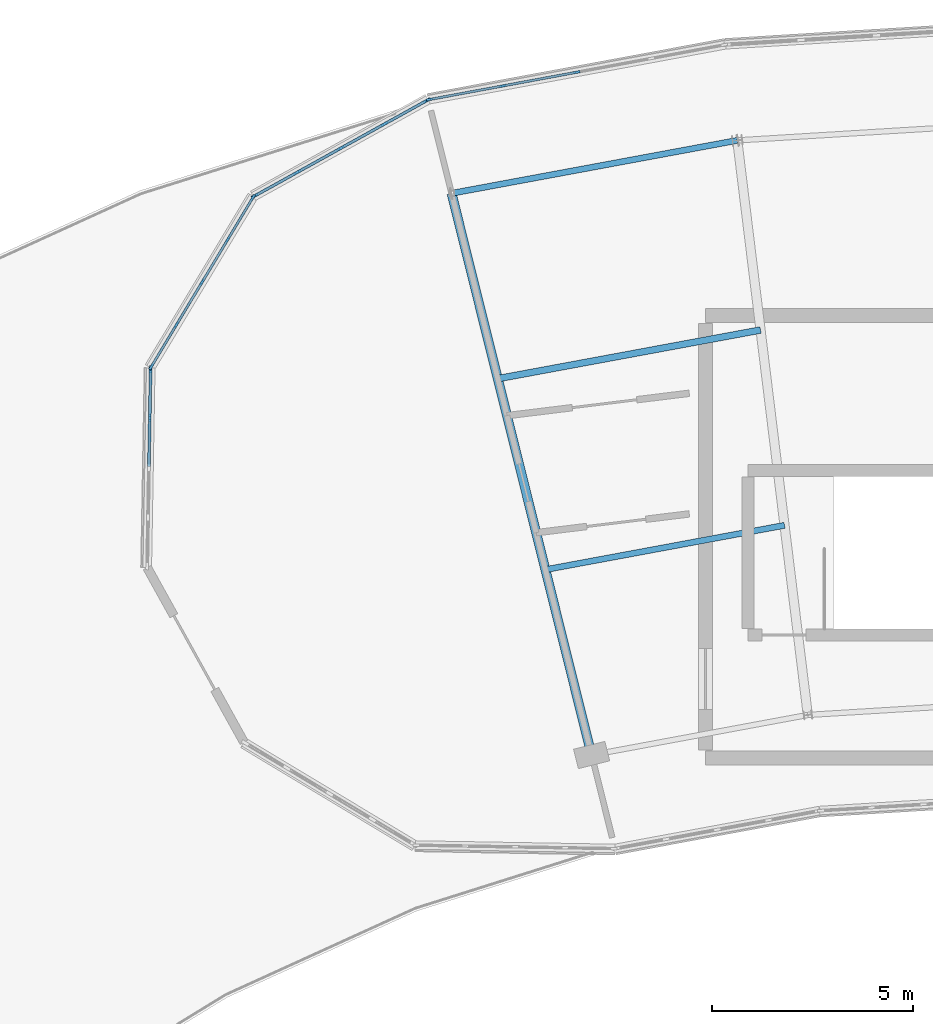
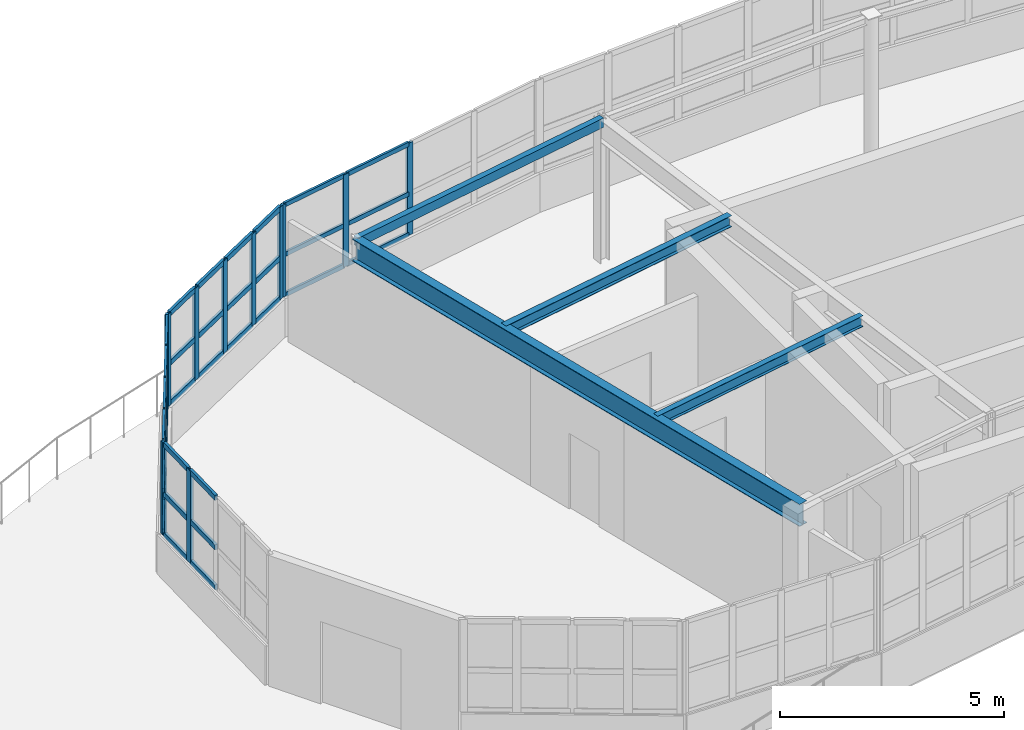
# One storey, part 7 of 26: 51 members, 4 beams, 4 elements without a shape of their own.
"""IFC4 building model written with IfcOpenShell, lengths in metres."""

from ifc_helpers import new_model, si_unit, direction, frame, origin, origin_2d, place, context, subcontext, project, spatial, rectangle, hollow_rectangle, i_section, extrude, material, layer, layer_set, material_profile, profile_set, type_object, element, aggregate, save


model = new_model("IFC4")

# Units and contexts
model_context = context("Model", 3, precision=1e-05, world=origin(), true_north=direction((0.0, 1.0)))
body_context = subcontext(model_context, "Body", "Model", "MODEL_VIEW")
ifc_project = project(units=[si_unit("LENGTHUNIT", "METRE"), si_unit("AREAUNIT", "SQUARE_METRE"), si_unit("VOLUMEUNIT", "CUBIC_METRE"), si_unit("PLANEANGLEUNIT", "RADIAN"), si_unit("MASSUNIT", "GRAM", prefix="KILO")], contexts=[model_context])

# Site, building, storey
site_placement = place(None, origin())
site = spatial("IfcSite", under=ifc_project, at=site_placement, CompositionType="ELEMENT")
building_placement = place(site_placement, origin())
building = spatial("IfcBuilding", under=site, at=building_placement, Name="Tarnwether General Hospital", CompositionType="ELEMENT")
storey_placement = place(building_placement, frame((0.0, 0.0, 30.0)))
storey = spatial("IfcBuildingStorey", under=building, at=storey_placement, Name="L07", CompositionType="ELEMENT", Elevation=30.0)

# Beams
ifc_material_1 = material(Name="Steel Grade 350 (350 MPa)", Category="steel")
ifc_material_profile_1 = material_profile(ifc_material_1, i_section(OverallWidth=0.22802734375, OverallDepth=0.60693359375, WebThickness=0.01123046875, FlangeThickness=0.017333984375, at=origin_2d()), Name="610UB113")
ifc_profile_set_1 = profile_set([ifc_material_profile_1], Name="Steel Grade 350 (350 MPa)")
beam_type_1 = type_object("IfcBeamType", Name="BM-G04", PredefinedType="BEAM", material=ifc_profile_set_1)
beam_1_placement = place(storey_placement, frame((77.677978515625, 120.44189453125, 3.596435546875), z_axis=(0.241941215118, -0.970290909175, 0.0), x_axis=(0.970290909175, 0.241941215118, 0.0)))
element("IfcBeam", 1, at=beam_1_placement, inside=storey, type_object=beam_type_1, Name="Curved Ward NW Radial Girder BMG-L07-7768_12044-8116_10647-2045", PredefinedType="BEAM", context=body_context, shape_type="SweptSolid", body=[
    extrude(i_section(OverallWidth=0.22802734375, OverallDepth=0.60693359375, WebThickness=0.01123046875, FlangeThickness=0.017333984375, at=origin_2d()), origin(), (0.0, 0.0, 1.0), 14.400634765625),
])
ifc_material_2 = material(Name="Steel Grade 350 (350 MPa)", Category="steel")
ifc_material_profile_2 = material_profile(ifc_material_2, i_section(OverallWidth=0.166015625, OverallDepth=0.306884765625, WebThickness=0.006591796875, FlangeThickness=0.01171875, at=origin_2d()), Name="310UB46.2")
ifc_profile_set_2 = profile_set([ifc_material_profile_2], Name="Steel Grade 350 (350 MPa)")
beam_type_2 = type_object("IfcBeamType", Name="BM-J05", PredefinedType="JOIST", material=ifc_profile_set_2)
beam_2_placement = place(storey_placement, frame((78.827880859375, 115.8310546875, 3.74658203125), z_axis=(0.983267388773, 0.18216817004, 0.0), x_axis=(-0.18216817004, 0.983267388773, 0.0)))
element("IfcBeam", 2, at=beam_2_placement, inside=storey, type_object=beam_type_2, Name="Curved Ward NW Chord Joist BMG-L07-7883_11583-8536_11704-2051", PredefinedType="JOIST", context=body_context, shape_type="SweptSolid", body=[
    extrude(i_section(OverallWidth=0.166015625, OverallDepth=0.306884765625, WebThickness=0.006591796875, FlangeThickness=0.01171875, at=origin_2d()), origin(), (0.0, 0.0, 1.0), 6.6474609375),
])
ifc_material_3 = material(Name="Steel Grade 350 (350 MPa)", Category="steel")
ifc_material_profile_3 = material_profile(ifc_material_3, i_section(OverallWidth=0.14892578125, OverallDepth=0.298095703125, WebThickness=0.005615234375, FlangeThickness=0.008056640625, at=origin_2d()), Name="310UB32.0")
ifc_profile_set_3 = profile_set([ifc_material_profile_3], Name="Steel Grade 350 (350 MPa)")
beam_type_3 = type_object("IfcBeamType", Name="BM-J08", PredefinedType="JOIST", material=ifc_profile_set_3)
beam_3_placement = place(storey_placement, frame((80.011962890625, 111.080078125, 3.7509765625), z_axis=(0.983241575901, 0.182307442029, 0.0), x_axis=(-0.182307442029, 0.983241575901, 0.0)))
element("IfcBeam", 3, at=beam_3_placement, inside=storey, type_object=beam_type_3, Name="Curved Ward NW Chord Joist BMG-L07-8001_11108-8596_11218-2052", PredefinedType="JOIST", context=body_context, shape_type="SweptSolid", body=[
    extrude(i_section(OverallWidth=0.14892578125, OverallDepth=0.298095703125, WebThickness=0.005615234375, FlangeThickness=0.008056640625, at=origin_2d()), origin(), (0.0, 0.0, 1.0), 6.05029296875),
])
ifc_material_4 = material(Name="Steel Grade C350L0 (350 MPa)", Category="steel")
ifc_material_profile_4 = material_profile(ifc_material_4, hollow_rectangle(XDim=0.14990234375, YDim=0.25, WallThickness=0.010009765625, at=origin_2d()), Name="RHS250x150x10")
ifc_profile_set_4 = profile_set([ifc_material_profile_4], Name="Steel Grade C350L0 (350 MPa)")
beam_type_4 = type_object("IfcBeamType", Name="BM-SP4", PredefinedType="SPANDREL", material=ifc_profile_set_4)
beam_4_placement = place(storey_placement, frame((77.677978515625, 120.44189453125, 3.77490234375), z_axis=(0.98325623662, 0.182228354399, 0.0), x_axis=(-0.182228354399, 0.98325623662, 0.0)))
element("IfcBeam", 4, at=beam_4_placement, inside=storey, type_object=beam_type_4, Name="Curved Ward NW Outer Spandrel BMG-L07-7768_12044-8478_12176-2049", PredefinedType="SPANDREL", context=body_context, shape_type="SweptSolid", body=[
    extrude(hollow_rectangle(XDim=0.14990234375, YDim=0.25, WallThickness=0.010009765625, at=origin_2d()), origin(), (0.0, 0.0, 1.0), 7.22802734375),
])

# Curtain wall, members
ifc_material_5 = material(Name="Anodised aluminium", Category="aluminium")
ifc_layer_1 = layer(ifc_material_5, 0.159912109375)
ifc_layer_set_1 = layer_set([ifc_layer_1], Name="Anodised aluminium")
curtain_wall_type_1 = type_object("IfcCurtainWallType", Name="CW-03", PredefinedType="NOTDEFINED", material=ifc_layer_set_1)
curtain_wall_1_placement = place(storey_placement, origin())
curtain_wall_1 = element("IfcCurtainWall", 5, at=curtain_wall_1_placement, inside=storey, type_object=curtain_wall_type_1, Name="Curtain Wall CWG-L07-702_1161-0129", PredefinedType="NOTDEFINED")
ifc_material_6 = material(Name="Anodised aluminium", Category="aluminium")
ifc_material_profile_5 = material_profile(ifc_material_6, rectangle(XDim=0.06005859375, YDim=0.159912109375, at=origin_2d()), Name="ALU-MUL-60x160")
ifc_profile_set_5 = profile_set([ifc_material_profile_5], Name="Anodised aluminium")
member_type_1 = type_object("IfcMemberType", Name="CW-ML1", PredefinedType="MULLION", material=ifc_profile_set_5)
member_1_placement = place(storey_placement, frame((70.20751953125, 116.126708984375, 1.050048828125), z_axis=(0.0, 0.0, 1.0), x_axis=(-0.857226481141, 0.514939569299, 0.0)))
member_1 = element("IfcMember", 6, at=member_1_placement, type_object=member_type_1, Name="CW-03 mullion 1", PredefinedType="MULLION", context=body_context, shape_type="SweptSolid", body=[
    extrude(rectangle(XDim=0.06005859375, YDim=0.159912109375, at=origin_2d()), origin(), (0.0, 0.0, 1.0), 2.52001953125),
])
member_2_placement = place(storey_placement, frame((70.831787109375, 117.166015625, 1.050048828125), z_axis=(0.0, 0.0, 1.0), x_axis=(-0.857226481141, 0.514939569299, 0.0)))
member_2 = element("IfcMember", 7, at=member_2_placement, type_object=member_type_1, Name="CW-03 mullion 2", PredefinedType="MULLION", context=body_context, shape_type="SweptSolid", body=[
    extrude(rectangle(XDim=0.06005859375, YDim=0.159912109375, at=origin_2d()), origin(), (0.0, 0.0, 1.0), 2.52001953125),
])
member_3_placement = place(storey_placement, frame((71.471435546875, 118.23095703125, 1.050048828125), z_axis=(0.0, 0.0, 1.0), x_axis=(-0.857226481141, 0.514939569299, 0.0)))
member_3 = element("IfcMember", 8, at=member_3_placement, type_object=member_type_1, Name="CW-03 mullion 3", PredefinedType="MULLION", context=body_context, shape_type="SweptSolid", body=[
    extrude(rectangle(XDim=0.06005859375, YDim=0.159912109375, at=origin_2d()), origin(), (0.0, 0.0, 1.0), 2.52001953125),
])
member_4_placement = place(storey_placement, frame((72.111328125, 119.2958984375, 1.050048828125), z_axis=(0.0, 0.0, 1.0), x_axis=(-0.857226481141, 0.514939569299, 0.0)))
member_4 = element("IfcMember", 9, at=member_4_placement, type_object=member_type_1, Name="CW-03 mullion 4", PredefinedType="MULLION", context=body_context, shape_type="SweptSolid", body=[
    extrude(rectangle(XDim=0.06005859375, YDim=0.159912109375, at=origin_2d()), origin(), (0.0, 0.0, 1.0), 2.52001953125),
])
member_5_placement = place(storey_placement, frame((72.735595703125, 120.335205078125, 1.050048828125), z_axis=(0.0, 0.0, 1.0), x_axis=(-0.857226481141, 0.514939569299, 0.0)))
member_5 = element("IfcMember", 10, at=member_5_placement, type_object=member_type_1, Name="CW-03 mullion 5", PredefinedType="MULLION", context=body_context, shape_type="SweptSolid", body=[
    extrude(rectangle(XDim=0.06005859375, YDim=0.159912109375, at=origin_2d()), origin(), (0.0, 0.0, 1.0), 2.52001953125),
])

ifc_material_7 = material(Name="Anodised aluminium", Category="aluminium")
ifc_layer_2 = layer(ifc_material_7, 0.179931640625)
ifc_layer_set_2 = layer_set([ifc_layer_2], Name="Anodised aluminium")
curtain_wall_type_2 = type_object("IfcCurtainWallType", Name="CW-07", PredefinedType="NOTDEFINED", material=ifc_layer_set_2)
curtain_wall_2_placement = place(storey_placement, origin())
curtain_wall_2 = element("IfcCurtainWall", 11, at=curtain_wall_2_placement, inside=storey, type_object=curtain_wall_type_2, Name="Curtain Wall CWG-L07-771_1228-0152", PredefinedType="NOTDEFINED")
member_6_placement = place(storey_placement, frame((77.12744140625, 122.775390625, 1.050048828125), z_axis=(0.0, 0.0, 1.0), x_axis=(-0.182289226614, 0.983244953132, 0.0)))
member_6 = element("IfcMember", 12, at=member_6_placement, type_object=member_type_1, Name="CW-07 mullion 1", PredefinedType="MULLION", context=body_context, shape_type="SweptSolid", body=[
    extrude(rectangle(XDim=0.06005859375, YDim=0.159912109375, at=origin_2d()), origin(), (0.0, 0.0, 1.0), 2.52001953125),
])
member_7_placement = place(storey_placement, frame((78.94677734375, 123.11279296875, 1.050048828125), z_axis=(0.0, 0.0, 1.0), x_axis=(-0.182289226614, 0.983244953132, 0.0)))
member_7 = element("IfcMember", 13, at=member_7_placement, type_object=member_type_1, Name="CW-07 mullion 2", PredefinedType="MULLION", context=body_context, shape_type="SweptSolid", body=[
    extrude(rectangle(XDim=0.06005859375, YDim=0.159912109375, at=origin_2d()), origin(), (0.0, 0.0, 1.0), 2.52001953125),
])
member_8_placement = place(storey_placement, frame((80.79541015625, 123.45556640625, 1.050048828125), z_axis=(0.0, 0.0, 1.0), x_axis=(-0.182289226614, 0.983244953132, 0.0)))
member_8 = element("IfcMember", 14, at=member_8_placement, type_object=member_type_1, Name="CW-07 mullion 3", PredefinedType="MULLION", context=body_context, shape_type="SweptSolid", body=[
    extrude(rectangle(XDim=0.06005859375, YDim=0.159912109375, at=origin_2d()), origin(), (0.0, 0.0, 1.0), 2.52001953125),
])

curtain_wall_3_placement = place(storey_placement, origin())
curtain_wall_3 = element("IfcCurtainWall", 15, at=curtain_wall_3_placement, inside=storey, type_object=curtain_wall_type_1, Name="Curtain Wall CWG-L07-701_1111-0130", PredefinedType="NOTDEFINED")
ifc_material_8 = material(Name="Anodised aluminium", Category="aluminium")
ifc_material_profile_6 = material_profile(ifc_material_8, rectangle(XDim=0.070068359375, YDim=0.179931640625, at=origin_2d()), Name="ALU-MUL-70x180")
ifc_profile_set_6 = profile_set([ifc_material_profile_6], Name="Anodised aluminium")
member_type_2 = type_object("IfcMemberType", Name="CW-ML2", PredefinedType="MULLION", material=ifc_profile_set_6)
member_9_placement = place(storey_placement, frame((70.170166015625, 114.85888671875, 1.050048828125), z_axis=(0.0, 0.0, 1.0), x_axis=(-0.999846698833, 0.017509392677, 0.0)))
member_9 = element("IfcMember", 16, at=member_9_placement, type_object=member_type_2, Name="CW-03 mullion 4", PredefinedType="MULLION", context=body_context, shape_type="SweptSolid", body=[
    extrude(rectangle(XDim=0.070068359375, YDim=0.179931640625, at=origin_2d()), origin(), (0.0, 0.0, 1.0), 2.52001953125),
])
member_10_placement = place(storey_placement, frame((70.19140625, 116.06591796875, 1.050048828125), z_axis=(0.0, 0.0, 1.0), x_axis=(-0.999846698833, 0.017509392677, 0.0)))
member_10 = element("IfcMember", 17, at=member_10_placement, type_object=member_type_2, Name="CW-03 mullion 5", PredefinedType="MULLION", context=body_context, shape_type="SweptSolid", body=[
    extrude(rectangle(XDim=0.070068359375, YDim=0.179931640625, at=origin_2d()), origin(), (0.0, 0.0, 1.0), 2.52001953125),
])

curtain_wall_4_placement = place(storey_placement, origin())
curtain_wall_4 = element("IfcCurtainWall", 18, at=curtain_wall_4_placement, inside=storey, type_object=curtain_wall_type_1, Name="Curtain Wall CWG-L07-728_1204-0153", PredefinedType="NOTDEFINED")
member_11_placement = place(storey_placement, frame((72.781494140625, 120.3779296875, 1.050048828125), z_axis=(0.0, 0.0, 1.0), x_axis=(-0.484720121906, 0.874669310894, 0.0)))
member_11 = element("IfcMember", 19, at=member_11_placement, type_object=member_type_2, Name="CW-03 mullion 1", PredefinedType="MULLION", context=body_context, shape_type="SweptSolid", body=[
    extrude(rectangle(XDim=0.070068359375, YDim=0.179931640625, at=origin_2d()), origin(), (0.0, 0.0, 1.0), 2.52001953125),
])
member_12_placement = place(storey_placement, frame((73.837646484375, 120.963134765625, 1.050048828125), z_axis=(0.0, 0.0, 1.0), x_axis=(-0.484720121906, 0.874669310894, 0.0)))
member_12 = element("IfcMember", 20, at=member_12_placement, type_object=member_type_2, Name="CW-03 mullion 2", PredefinedType="MULLION", context=body_context, shape_type="SweptSolid", body=[
    extrude(rectangle(XDim=0.070068359375, YDim=0.179931640625, at=origin_2d()), origin(), (0.0, 0.0, 1.0), 2.52001953125),
])
member_13_placement = place(storey_placement, frame((74.924560546875, 121.5654296875, 1.050048828125), z_axis=(0.0, 0.0, 1.0), x_axis=(-0.484720121906, 0.874669310894, 0.0)))
member_13 = element("IfcMember", 21, at=member_13_placement, type_object=member_type_2, Name="CW-03 mullion 3", PredefinedType="MULLION", context=body_context, shape_type="SweptSolid", body=[
    extrude(rectangle(XDim=0.070068359375, YDim=0.179931640625, at=origin_2d()), origin(), (0.0, 0.0, 1.0), 2.52001953125),
])
member_14_placement = place(storey_placement, frame((76.01123046875, 122.167724609375, 1.050048828125), z_axis=(0.0, 0.0, 1.0), x_axis=(-0.484720121906, 0.874669310894, 0.0)))
member_14 = element("IfcMember", 22, at=member_14_placement, type_object=member_type_2, Name="CW-03 mullion 4", PredefinedType="MULLION", context=body_context, shape_type="SweptSolid", body=[
    extrude(rectangle(XDim=0.070068359375, YDim=0.179931640625, at=origin_2d()), origin(), (0.0, 0.0, 1.0), 2.52001953125),
])
member_15_placement = place(storey_placement, frame((77.0673828125, 122.7529296875, 1.050048828125), z_axis=(0.0, 0.0, 1.0), x_axis=(-0.484720121906, 0.874669310894, 0.0)))
member_15 = element("IfcMember", 23, at=member_15_placement, type_object=member_type_2, Name="CW-03 mullion 5", PredefinedType="MULLION", context=body_context, shape_type="SweptSolid", body=[
    extrude(rectangle(XDim=0.070068359375, YDim=0.179931640625, at=origin_2d()), origin(), (0.0, 0.0, 1.0), 2.52001953125),
])

# Member
ifc_material_9 = material(Name="Anodised aluminium", Category="aluminium")
ifc_material_profile_7 = material_profile(ifc_material_9, rectangle(XDim=0.06005859375, YDim=0.1201171875, at=origin_2d()), Name="ALU-TRN-60x120")
ifc_profile_set_7 = profile_set([ifc_material_profile_7], Name="Anodised aluminium")
member_type_3 = type_object("IfcMemberType", Name="CW-TR1", PredefinedType="USERDEFINED", material=ifc_profile_set_7)
member_16_placement = place(storey_placement, frame((70.222900390625, 116.15234375, 1.080078125), z_axis=(0.514931786661, 0.857231156157, 0.0), x_axis=(-0.857231156157, 0.514931786661, 0.0)))
member_16 = element("IfcMember", 24, at=member_16_placement, type_object=member_type_3, Name="CW-03 transom 1.1", ObjectType="TRANSOM", PredefinedType="USERDEFINED", context=body_context, shape_type="SweptSolid", body=[
    extrude(rectangle(XDim=0.06005859375, YDim=0.1201171875, at=origin_2d()), origin(), (0.0, 0.0, 1.0), 1.152587890625),
])

member_17_placement = place(storey_placement, frame((70.222900390625, 116.15234375, 2.18408203125), z_axis=(0.514931786661, 0.857231156157, 0.0), x_axis=(-0.857231156157, 0.514931786661, 0.0)))
member_17 = element("IfcMember", 25, at=member_17_placement, type_object=member_type_3, Name="CW-03 transom 1.2", ObjectType="TRANSOM", PredefinedType="USERDEFINED", context=body_context, shape_type="SweptSolid", body=[
    extrude(rectangle(XDim=0.06005859375, YDim=0.1201171875, at=origin_2d()), origin(), (0.0, 0.0, 1.0), 1.152587890625),
])

member_18_placement = place(storey_placement, frame((70.222900390625, 116.15234375, 3.5400390625), z_axis=(0.514931786661, 0.857231156157, 0.0), x_axis=(-0.857231156157, 0.514931786661, 0.0)))
member_18 = element("IfcMember", 26, at=member_18_placement, type_object=member_type_3, Name="CW-03 transom 1.3", ObjectType="TRANSOM", PredefinedType="USERDEFINED", context=body_context, shape_type="SweptSolid", body=[
    extrude(rectangle(XDim=0.06005859375, YDim=0.1201171875, at=origin_2d()), origin(), (0.0, 0.0, 1.0), 1.152587890625),
])

member_19_placement = place(storey_placement, frame((70.84716796875, 117.191650390625, 1.080078125), z_axis=(0.514920764782, 0.857237776814, 0.0), x_axis=(-0.857237776814, 0.514920764782, 0.0)))
member_19 = element("IfcMember", 27, at=member_19_placement, type_object=member_type_3, Name="CW-03 transom 2.1", ObjectType="TRANSOM", PredefinedType="USERDEFINED", context=body_context, shape_type="SweptSolid", body=[
    extrude(rectangle(XDim=0.06005859375, YDim=0.1201171875, at=origin_2d()), origin(), (0.0, 0.0, 1.0), 1.182373046875),
])

member_20_placement = place(storey_placement, frame((70.84716796875, 117.191650390625, 2.18408203125), z_axis=(0.514920764782, 0.857237776814, 0.0), x_axis=(-0.857237776814, 0.514920764782, 0.0)))
member_20 = element("IfcMember", 28, at=member_20_placement, type_object=member_type_3, Name="CW-03 transom 2.2", ObjectType="TRANSOM", PredefinedType="USERDEFINED", context=body_context, shape_type="SweptSolid", body=[
    extrude(rectangle(XDim=0.06005859375, YDim=0.1201171875, at=origin_2d()), origin(), (0.0, 0.0, 1.0), 1.182373046875),
])

member_21_placement = place(storey_placement, frame((70.84716796875, 117.191650390625, 3.5400390625), z_axis=(0.514920764782, 0.857237776814, 0.0), x_axis=(-0.857237776814, 0.514920764782, 0.0)))
member_21 = element("IfcMember", 29, at=member_21_placement, type_object=member_type_3, Name="CW-03 transom 2.3", ObjectType="TRANSOM", PredefinedType="USERDEFINED", context=body_context, shape_type="SweptSolid", body=[
    extrude(rectangle(XDim=0.06005859375, YDim=0.1201171875, at=origin_2d()), origin(), (0.0, 0.0, 1.0), 1.182373046875),
])

member_22_placement = place(storey_placement, frame((71.487060546875, 118.2568359375, 1.080078125), z_axis=(0.514860160122, 0.857274177564, 0.0), x_axis=(-0.857274177564, 0.514860160122, 0.0)))
member_22 = element("IfcMember", 30, at=member_22_placement, type_object=member_type_3, Name="CW-03 transom 3.1", ObjectType="TRANSOM", PredefinedType="USERDEFINED", context=body_context, shape_type="SweptSolid", body=[
    extrude(rectangle(XDim=0.06005859375, YDim=0.1201171875, at=origin_2d()), origin(), (0.0, 0.0, 1.0), 1.18212890625),
])

member_23_placement = place(storey_placement, frame((71.487060546875, 118.2568359375, 2.18408203125), z_axis=(0.514860160122, 0.857274177564, 0.0), x_axis=(-0.857274177564, 0.514860160122, 0.0)))
member_23 = element("IfcMember", 31, at=member_23_placement, type_object=member_type_3, Name="CW-03 transom 3.2", ObjectType="TRANSOM", PredefinedType="USERDEFINED", context=body_context, shape_type="SweptSolid", body=[
    extrude(rectangle(XDim=0.06005859375, YDim=0.1201171875, at=origin_2d()), origin(), (0.0, 0.0, 1.0), 1.18212890625),
])

member_24_placement = place(storey_placement, frame((71.487060546875, 118.2568359375, 3.5400390625), z_axis=(0.514860160122, 0.857274177564, 0.0), x_axis=(-0.857274177564, 0.514860160122, 0.0)))
member_24 = element("IfcMember", 32, at=member_24_placement, type_object=member_type_3, Name="CW-03 transom 3.3", ObjectType="TRANSOM", PredefinedType="USERDEFINED", context=body_context, shape_type="SweptSolid", body=[
    extrude(rectangle(XDim=0.06005859375, YDim=0.1201171875, at=origin_2d()), origin(), (0.0, 0.0, 1.0), 1.18212890625),
])

member_25_placement = place(storey_placement, frame((72.126708984375, 119.32177734375, 1.080078125), z_axis=(0.515025300745, 0.857174976065, 0.0), x_axis=(-0.857174976065, 0.515025300745, 0.0)))
member_25 = element("IfcMember", 33, at=member_25_placement, type_object=member_type_3, Name="CW-03 transom 4.1", ObjectType="TRANSOM", PredefinedType="USERDEFINED", context=body_context, shape_type="SweptSolid", body=[
    extrude(rectangle(XDim=0.06005859375, YDim=0.1201171875, at=origin_2d()), origin(), (0.0, 0.0, 1.0), 1.15234375),
])

member_26_placement = place(storey_placement, frame((72.126708984375, 119.32177734375, 2.18408203125), z_axis=(0.515025300745, 0.857174976065, 0.0), x_axis=(-0.857174976065, 0.515025300745, 0.0)))
member_26 = element("IfcMember", 34, at=member_26_placement, type_object=member_type_3, Name="CW-03 transom 4.2", ObjectType="TRANSOM", PredefinedType="USERDEFINED", context=body_context, shape_type="SweptSolid", body=[
    extrude(rectangle(XDim=0.06005859375, YDim=0.1201171875, at=origin_2d()), origin(), (0.0, 0.0, 1.0), 1.15234375),
])

member_27_placement = place(storey_placement, frame((72.126708984375, 119.32177734375, 3.5400390625), z_axis=(0.515025300745, 0.857174976065, 0.0), x_axis=(-0.857174976065, 0.515025300745, 0.0)))
member_27 = element("IfcMember", 35, at=member_27_placement, type_object=member_type_3, Name="CW-03 transom 4.3", ObjectType="TRANSOM", PredefinedType="USERDEFINED", context=body_context, shape_type="SweptSolid", body=[
    extrude(rectangle(XDim=0.06005859375, YDim=0.1201171875, at=origin_2d()), origin(), (0.0, 0.0, 1.0), 1.15234375),
])

aggregate(curtain_wall_1, [member_1, member_2, member_3, member_4, member_5, member_16, member_17, member_18, member_19, member_20, member_21, member_22, member_23, member_24, member_25, member_26, member_27])

member_28_placement = place(storey_placement, frame((77.156982421875, 122.781005859375, 1.080078125), z_axis=(0.983262103591, 0.182196694923, 0.0), x_axis=(-0.182196694923, 0.983262103591, 0.0)))
member_28 = element("IfcMember", 36, at=member_28_placement, type_object=member_type_3, Name="CW-07 transom 1.1", ObjectType="TRANSOM", PredefinedType="USERDEFINED", context=body_context, shape_type="SweptSolid", body=[
    extrude(rectangle(XDim=0.06005859375, YDim=0.1201171875, at=origin_2d()), origin(), (0.0, 0.0, 1.0), 1.790283203125),
])

member_29_placement = place(storey_placement, frame((77.156982421875, 122.781005859375, 2.18408203125), z_axis=(0.983262103591, 0.182196694923, 0.0), x_axis=(-0.182196694923, 0.983262103591, 0.0)))
member_29 = element("IfcMember", 37, at=member_29_placement, type_object=member_type_3, Name="CW-07 transom 1.2", ObjectType="TRANSOM", PredefinedType="USERDEFINED", context=body_context, shape_type="SweptSolid", body=[
    extrude(rectangle(XDim=0.06005859375, YDim=0.1201171875, at=origin_2d()), origin(), (0.0, 0.0, 1.0), 1.790283203125),
])

member_30_placement = place(storey_placement, frame((77.156982421875, 122.781005859375, 3.5400390625), z_axis=(0.983262103591, 0.182196694923, 0.0), x_axis=(-0.182196694923, 0.983262103591, 0.0)))
member_30 = element("IfcMember", 38, at=member_30_placement, type_object=member_type_3, Name="CW-07 transom 1.3", ObjectType="TRANSOM", PredefinedType="USERDEFINED", context=body_context, shape_type="SweptSolid", body=[
    extrude(rectangle(XDim=0.06005859375, YDim=0.1201171875, at=origin_2d()), origin(), (0.0, 0.0, 1.0), 1.790283203125),
])

member_31_placement = place(storey_placement, frame((78.976318359375, 123.1181640625, 1.080078125), z_axis=(0.983248190733, 0.182271762543, 0.0), x_axis=(-0.182271762543, 0.983248190733, 0.0)))
member_31 = element("IfcMember", 39, at=member_31_placement, type_object=member_type_3, Name="CW-07 transom 2.1", ObjectType="TRANSOM", PredefinedType="USERDEFINED", context=body_context, shape_type="SweptSolid", body=[
    extrude(rectangle(XDim=0.06005859375, YDim=0.1201171875, at=origin_2d()), origin(), (0.0, 0.0, 1.0), 1.8203125),
])

member_32_placement = place(storey_placement, frame((78.976318359375, 123.1181640625, 2.18408203125), z_axis=(0.983248190733, 0.182271762543, 0.0), x_axis=(-0.182271762543, 0.983248190733, 0.0)))
member_32 = element("IfcMember", 40, at=member_32_placement, type_object=member_type_3, Name="CW-07 transom 2.2", ObjectType="TRANSOM", PredefinedType="USERDEFINED", context=body_context, shape_type="SweptSolid", body=[
    extrude(rectangle(XDim=0.06005859375, YDim=0.1201171875, at=origin_2d()), origin(), (0.0, 0.0, 1.0), 1.8203125),
])

member_33_placement = place(storey_placement, frame((78.976318359375, 123.1181640625, 3.5400390625), z_axis=(0.983248190733, 0.182271762543, 0.0), x_axis=(-0.182271762543, 0.983248190733, 0.0)))
member_33 = element("IfcMember", 41, at=member_33_placement, type_object=member_type_3, Name="CW-07 transom 2.3", ObjectType="TRANSOM", PredefinedType="USERDEFINED", context=body_context, shape_type="SweptSolid", body=[
    extrude(rectangle(XDim=0.06005859375, YDim=0.1201171875, at=origin_2d()), origin(), (0.0, 0.0, 1.0), 1.8203125),
])

aggregate(curtain_wall_2, [member_6, member_7, member_8, member_28, member_29, member_30, member_31, member_32, member_33])

ifc_material_10 = material(Name="Anodised aluminium", Category="aluminium")
ifc_material_profile_8 = material_profile(ifc_material_10, rectangle(XDim=0.070068359375, YDim=0.139892578125, at=origin_2d()), Name="ALU-TRN-70x140")
ifc_profile_set_8 = profile_set([ifc_material_profile_8], Name="Anodised aluminium")
member_type_4 = type_object("IfcMemberType", Name="CW-TR2", PredefinedType="USERDEFINED", material=ifc_profile_set_8)
member_34_placement = place(storey_placement, frame((70.149169921875, 113.652099609375, 1.0849609375), z_axis=(0.017497320928, 0.999846910162, 0.0), x_axis=(-0.999846910162, 0.017497320928, 0.0)))
member_34 = element("IfcMember", 42, at=member_34_placement, type_object=member_type_4, Name="CW-03 transom 3.1", ObjectType="TRANSOM", PredefinedType="USERDEFINED", context=body_context, shape_type="SweptSolid", body=[
    extrude(rectangle(XDim=0.070068359375, YDim=0.139892578125, at=origin_2d()), origin(), (0.0, 0.0, 1.0), 1.172119140625),
])

member_35_placement = place(storey_placement, frame((70.149169921875, 113.652099609375, 2.18408203125), z_axis=(0.017497320928, 0.999846910162, 0.0), x_axis=(-0.999846910162, 0.017497320928, 0.0)))
member_35 = element("IfcMember", 43, at=member_35_placement, type_object=member_type_4, Name="CW-03 transom 3.2", ObjectType="TRANSOM", PredefinedType="USERDEFINED", context=body_context, shape_type="SweptSolid", body=[
    extrude(rectangle(XDim=0.070068359375, YDim=0.139892578125, at=origin_2d()), origin(), (0.0, 0.0, 1.0), 1.172119140625),
])

member_36_placement = place(storey_placement, frame((70.149169921875, 113.652099609375, 3.534912109375), z_axis=(0.017497320928, 0.999846910162, 0.0), x_axis=(-0.999846910162, 0.017497320928, 0.0)))
member_36 = element("IfcMember", 44, at=member_36_placement, type_object=member_type_4, Name="CW-03 transom 3.3", ObjectType="TRANSOM", PredefinedType="USERDEFINED", context=body_context, shape_type="SweptSolid", body=[
    extrude(rectangle(XDim=0.070068359375, YDim=0.139892578125, at=origin_2d()), origin(), (0.0, 0.0, 1.0), 1.172119140625),
])

member_37_placement = place(storey_placement, frame((70.1708984375, 114.89404296875, 1.0849609375), z_axis=(0.017390541254, 0.999848773103, 0.0), x_axis=(-0.999848773103, 0.017390541254, 0.0)))
member_37 = element("IfcMember", 45, at=member_37_placement, type_object=member_type_4, Name="CW-03 transom 4.1", ObjectType="TRANSOM", PredefinedType="USERDEFINED", context=body_context, shape_type="SweptSolid", body=[
    extrude(rectangle(XDim=0.070068359375, YDim=0.139892578125, at=origin_2d()), origin(), (0.0, 0.0, 1.0), 1.13720703125),
])

member_38_placement = place(storey_placement, frame((70.1708984375, 114.89404296875, 2.18408203125), z_axis=(0.017390541254, 0.999848773103, 0.0), x_axis=(-0.999848773103, 0.017390541254, 0.0)))
member_38 = element("IfcMember", 46, at=member_38_placement, type_object=member_type_4, Name="CW-03 transom 4.2", ObjectType="TRANSOM", PredefinedType="USERDEFINED", context=body_context, shape_type="SweptSolid", body=[
    extrude(rectangle(XDim=0.070068359375, YDim=0.139892578125, at=origin_2d()), origin(), (0.0, 0.0, 1.0), 1.13720703125),
])

member_39_placement = place(storey_placement, frame((70.1708984375, 114.89404296875, 3.534912109375), z_axis=(0.017390541254, 0.999848773103, 0.0), x_axis=(-0.999848773103, 0.017390541254, 0.0)))
member_39 = element("IfcMember", 47, at=member_39_placement, type_object=member_type_4, Name="CW-03 transom 4.3", ObjectType="TRANSOM", PredefinedType="USERDEFINED", context=body_context, shape_type="SweptSolid", body=[
    extrude(rectangle(XDim=0.070068359375, YDim=0.139892578125, at=origin_2d()), origin(), (0.0, 0.0, 1.0), 1.13720703125),
])

aggregate(curtain_wall_3, [member_9, member_10, member_34, member_35, member_36, member_37, member_38, member_39])

member_40_placement = place(storey_placement, frame((72.812255859375, 120.39501953125, 1.0849609375), z_axis=(0.874693364161, 0.48467671565, 0.0), x_axis=(-0.48467671565, 0.874693364161, 0.0)))
member_40 = element("IfcMember", 48, at=member_40_placement, type_object=member_type_4, Name="CW-03 transom 1.1", ObjectType="TRANSOM", PredefinedType="USERDEFINED", context=body_context, shape_type="SweptSolid", body=[
    extrude(rectangle(XDim=0.070068359375, YDim=0.139892578125, at=origin_2d()), origin(), (0.0, 0.0, 1.0), 1.137451171875),
])

member_41_placement = place(storey_placement, frame((72.812255859375, 120.39501953125, 2.18408203125), z_axis=(0.874693364161, 0.48467671565, 0.0), x_axis=(-0.48467671565, 0.874693364161, 0.0)))
member_41 = element("IfcMember", 49, at=member_41_placement, type_object=member_type_4, Name="CW-03 transom 1.2", ObjectType="TRANSOM", PredefinedType="USERDEFINED", context=body_context, shape_type="SweptSolid", body=[
    extrude(rectangle(XDim=0.070068359375, YDim=0.139892578125, at=origin_2d()), origin(), (0.0, 0.0, 1.0), 1.137451171875),
])

member_42_placement = place(storey_placement, frame((72.812255859375, 120.39501953125, 3.534912109375), z_axis=(0.874693364161, 0.48467671565, 0.0), x_axis=(-0.48467671565, 0.874693364161, 0.0)))
member_42 = element("IfcMember", 50, at=member_42_placement, type_object=member_type_4, Name="CW-03 transom 1.3", ObjectType="TRANSOM", PredefinedType="USERDEFINED", context=body_context, shape_type="SweptSolid", body=[
    extrude(rectangle(XDim=0.070068359375, YDim=0.139892578125, at=origin_2d()), origin(), (0.0, 0.0, 1.0), 1.137451171875),
])

member_43_placement = place(storey_placement, frame((73.868408203125, 120.980224609375, 1.0849609375), z_axis=(0.874628361903, 0.484794006312, 0.0), x_axis=(-0.484794006312, 0.874628361903, 0.0)))
member_43 = element("IfcMember", 51, at=member_43_placement, type_object=member_type_4, Name="CW-03 transom 2.1", ObjectType="TRANSOM", PredefinedType="USERDEFINED", context=body_context, shape_type="SweptSolid", body=[
    extrude(rectangle(XDim=0.070068359375, YDim=0.139892578125, at=origin_2d()), origin(), (0.0, 0.0, 1.0), 1.17236328125),
])

member_44_placement = place(storey_placement, frame((73.868408203125, 120.980224609375, 2.18408203125), z_axis=(0.874628361903, 0.484794006312, 0.0), x_axis=(-0.484794006312, 0.874628361903, 0.0)))
member_44 = element("IfcMember", 52, at=member_44_placement, type_object=member_type_4, Name="CW-03 transom 2.2", ObjectType="TRANSOM", PredefinedType="USERDEFINED", context=body_context, shape_type="SweptSolid", body=[
    extrude(rectangle(XDim=0.070068359375, YDim=0.139892578125, at=origin_2d()), origin(), (0.0, 0.0, 1.0), 1.17236328125),
])

member_45_placement = place(storey_placement, frame((73.868408203125, 120.980224609375, 3.534912109375), z_axis=(0.874628361903, 0.484794006312, 0.0), x_axis=(-0.484794006312, 0.874628361903, 0.0)))
member_45 = element("IfcMember", 53, at=member_45_placement, type_object=member_type_4, Name="CW-03 transom 2.3", ObjectType="TRANSOM", PredefinedType="USERDEFINED", context=body_context, shape_type="SweptSolid", body=[
    extrude(rectangle(XDim=0.070068359375, YDim=0.139892578125, at=origin_2d()), origin(), (0.0, 0.0, 1.0), 1.17236328125),
])

member_46_placement = place(storey_placement, frame((74.955078125, 121.58251953125, 1.0849609375), z_axis=(0.874677291327, 0.484705721069, 0.0), x_axis=(-0.484705721069, 0.874677291327, 0.0)))
member_46 = element("IfcMember", 54, at=member_46_placement, type_object=member_type_4, Name="CW-03 transom 3.1", ObjectType="TRANSOM", PredefinedType="USERDEFINED", context=body_context, shape_type="SweptSolid", body=[
    extrude(rectangle(XDim=0.070068359375, YDim=0.139892578125, at=origin_2d()), origin(), (0.0, 0.0, 1.0), 1.172607421875),
])

member_47_placement = place(storey_placement, frame((74.955078125, 121.58251953125, 2.18408203125), z_axis=(0.874677291327, 0.484705721069, 0.0), x_axis=(-0.484705721069, 0.874677291327, 0.0)))
member_47 = element("IfcMember", 55, at=member_47_placement, type_object=member_type_4, Name="CW-03 transom 3.2", ObjectType="TRANSOM", PredefinedType="USERDEFINED", context=body_context, shape_type="SweptSolid", body=[
    extrude(rectangle(XDim=0.070068359375, YDim=0.139892578125, at=origin_2d()), origin(), (0.0, 0.0, 1.0), 1.172607421875),
])

member_48_placement = place(storey_placement, frame((74.955078125, 121.58251953125, 3.534912109375), z_axis=(0.874677291327, 0.484705721069, 0.0), x_axis=(-0.484705721069, 0.874677291327, 0.0)))
member_48 = element("IfcMember", 56, at=member_48_placement, type_object=member_type_4, Name="CW-03 transom 3.3", ObjectType="TRANSOM", PredefinedType="USERDEFINED", context=body_context, shape_type="SweptSolid", body=[
    extrude(rectangle(XDim=0.070068359375, YDim=0.139892578125, at=origin_2d()), origin(), (0.0, 0.0, 1.0), 1.172607421875),
])

member_49_placement = place(storey_placement, frame((76.041748046875, 122.184814453125, 1.0849609375), z_axis=(0.87474377341, 0.484585731197, 0.0), x_axis=(-0.484585731197, 0.87474377341, 0.0)))
member_49 = element("IfcMember", 57, at=member_49_placement, type_object=member_type_4, Name="CW-03 transom 4.1", ObjectType="TRANSOM", PredefinedType="USERDEFINED", context=body_context, shape_type="SweptSolid", body=[
    extrude(rectangle(XDim=0.070068359375, YDim=0.139892578125, at=origin_2d()), origin(), (0.0, 0.0, 1.0), 1.1376953125),
])

member_50_placement = place(storey_placement, frame((76.041748046875, 122.184814453125, 2.18408203125), z_axis=(0.87474377341, 0.484585731197, 0.0), x_axis=(-0.484585731197, 0.87474377341, 0.0)))
member_50 = element("IfcMember", 58, at=member_50_placement, type_object=member_type_4, Name="CW-03 transom 4.2", ObjectType="TRANSOM", PredefinedType="USERDEFINED", context=body_context, shape_type="SweptSolid", body=[
    extrude(rectangle(XDim=0.070068359375, YDim=0.139892578125, at=origin_2d()), origin(), (0.0, 0.0, 1.0), 1.1376953125),
])

member_51_placement = place(storey_placement, frame((76.041748046875, 122.184814453125, 3.534912109375), z_axis=(0.87474377341, 0.484585731197, 0.0), x_axis=(-0.484585731197, 0.87474377341, 0.0)))
member_51 = element("IfcMember", 59, at=member_51_placement, type_object=member_type_4, Name="CW-03 transom 4.3", ObjectType="TRANSOM", PredefinedType="USERDEFINED", context=body_context, shape_type="SweptSolid", body=[
    extrude(rectangle(XDim=0.070068359375, YDim=0.139892578125, at=origin_2d()), origin(), (0.0, 0.0, 1.0), 1.1376953125),
])

aggregate(curtain_wall_4, [member_11, member_12, member_13, member_14, member_15, member_40, member_41, member_42, member_43, member_44, member_45, member_46, member_47, member_48, member_49, member_50, member_51])

save(model, "model.ifc")
